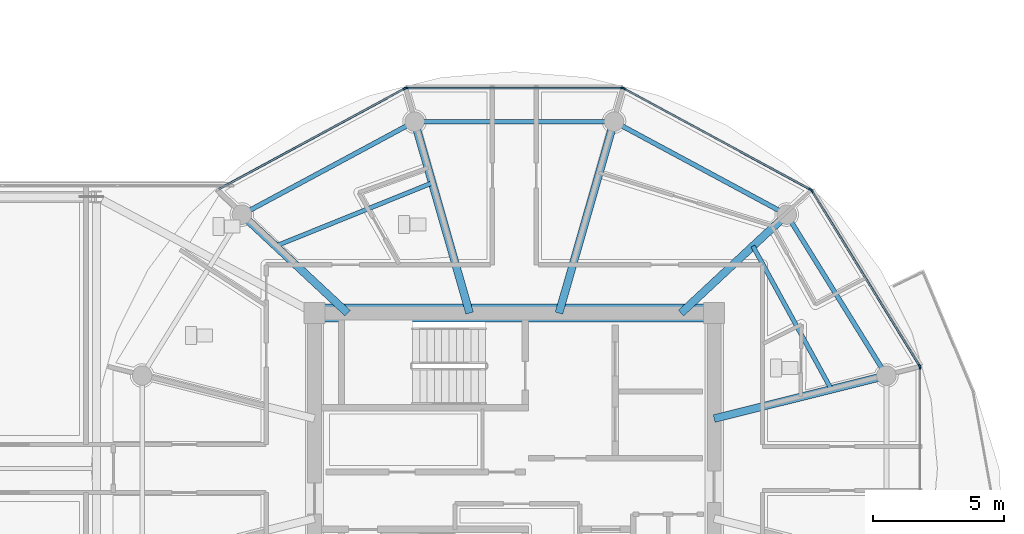
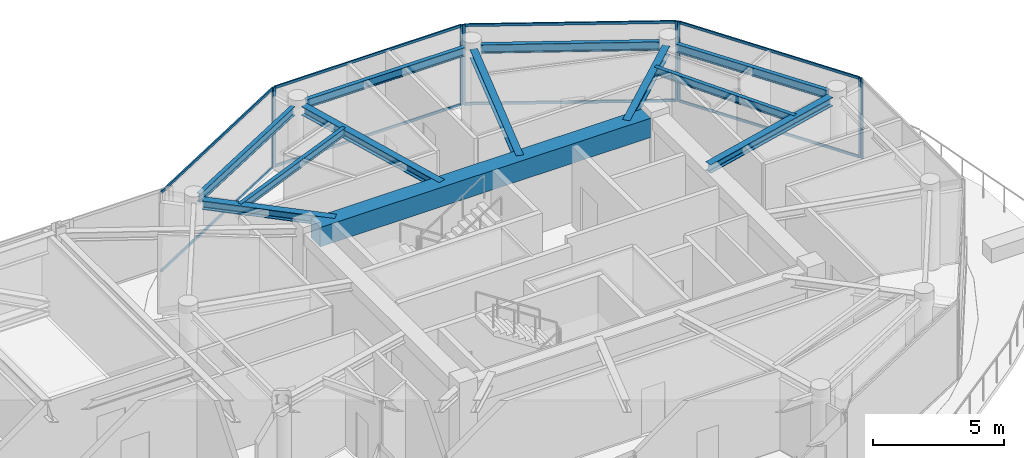
# One storey, part 10 of 31: 16 members, 12 beams, 5 elements without a shape of their own.
"""IFC4 building model written with IfcOpenShell, lengths in metres."""

from ifc_helpers import new_model, si_unit, direction, frame, origin, origin_2d, place, context, subcontext, project, spatial, rectangle, i_section, extrude, source, transform, mapped, material, layer, layer_set, material_profile, profile_set, type_object, type_shapes, element, aggregate, save


model = new_model("IFC4")

# Units and contexts
model_context = context("Model", 3, precision=1e-05, world=origin(), true_north=direction((0.0, 1.0)))
body_context = subcontext(model_context, "Body", "Model", "MODEL_VIEW")
ifc_project = project(units=[si_unit("LENGTHUNIT", "METRE"), si_unit("AREAUNIT", "SQUARE_METRE"), si_unit("VOLUMEUNIT", "CUBIC_METRE"), si_unit("PLANEANGLEUNIT", "RADIAN"), si_unit("MASSUNIT", "GRAM", prefix="KILO")], contexts=[model_context])

# Site, building, storey
site_placement = place(None, origin())
site = spatial("IfcSite", under=ifc_project, at=site_placement, CompositionType="ELEMENT")
building_placement = place(site_placement, origin())
building = spatial("IfcBuilding", under=site, at=building_placement, Name="Norrkilde Senior Care Towers", CompositionType="ELEMENT")
storey_placement = place(building_placement, frame((0.0, 0.0, 199.800048828125)))
storey = spatial("IfcBuildingStorey", under=building, at=storey_placement, Name="L62", CompositionType="ELEMENT", Elevation=199.800048828125)

# Beams
ifc_material_1 = material(Name="Concrete C60/75", Category="concrete")
ifc_material_profile_1 = material_profile(ifc_material_1, rectangle(XDim=0.699951171875, YDim=0.89990234375, at=origin_2d()), Name="RC BM 700x900")
ifc_profile_set_1 = profile_set([ifc_material_profile_1], Name="Concrete C60/75")
beam_type_1 = type_object("IfcBeamType", Name="Core Coupling Girder 700x900", PredefinedType="USERDEFINED", material=ifc_profile_set_1)
shared_shape_1 = source(origin(), body_context, "Body", "SweptSolid", [
    extrude(rectangle(XDim=0.699951171875, YDim=0.89990234375, at=origin_2d()), origin(), (0.0, 0.0, 1.0), 14.5400390625),
])
type_shapes(beam_type_1, [shared_shape_1])
beam_1_placement = place(storey_placement, frame((20.72998046875, 5.949951171875, 3.260009765625), z_axis=(1.0, 0.0, 0.0), x_axis=(0.0, 1.0, 0.0)))
element("IfcBeam", 1, at=beam_1_placement, inside=storey, type_object=beam_type_1, Name="L62 Core E N Coupling Girder", ObjectType="GIRDER", PredefinedType="USERDEFINED", context=body_context, shape_type="MappedRepresentation", body=[
    mapped(shared_shape_1, transform((0.0, 0.0, 0.0), x_axis=(1.0, 0.0, 0.0), y_axis=(0.0, 1.0, 0.0), z_axis=(0.0, 0.0, 1.0), scale=1.0)),
])
ifc_material_2 = material(Name="Steel S355", Category="steel")
ifc_material_profile_2 = material_profile(ifc_material_2, i_section(OverallWidth=0.179931640625, OverallDepth=0.39990234375, WebThickness=0.008544921875, FlangeThickness=0.013427734375, FilletRadius=0.02099609375, at=origin_2d()), Name="IPE 400")
ifc_profile_set_2 = profile_set([ifc_material_profile_2], Name="Steel S355")
beam_type_2 = type_object("IfcBeamType", Name="Perimeter Ring Spandrel Z4 IPE400", PredefinedType="SPANDREL", material=ifc_profile_set_2)
shared_shape_2 = source(origin(), body_context, "Body", "SweptSolid", [
    extrude(i_section(OverallWidth=0.179931640625, OverallDepth=0.39990234375, WebThickness=0.008544921875, FlangeThickness=0.013427734375, FilletRadius=0.02099609375, at=origin_2d()), origin(), (0.0, 0.0, 1.0), 6.58056640625),
])
beam_2_placement = place(storey_placement, frame((42.071044921875, 3.843505859375, 3.510009765625), z_axis=(-0.526529583789, 0.850156807533, 0.0), x_axis=(-0.850156807533, -0.526529583789, 0.0)))
element("IfcBeam", 2, at=beam_2_placement, inside=storey, type_object=beam_type_2, Name="L62 Drum E Perimeter Spandrel 01", PredefinedType="SPANDREL", context=body_context, shape_type="MappedRepresentation", body=[
    mapped(shared_shape_2, transform((0.0, 0.0, 0.0), x_axis=(1.0, 0.0, 0.0), y_axis=(0.0, 1.0, 0.0), z_axis=(0.0, 0.0, 1.0), scale=1.0)),
])
ifc_material_profile_3 = material_profile(ifc_material_2, i_section(OverallWidth=0.300048828125, OverallDepth=0.39990234375, WebThickness=0.013427734375, FlangeThickness=0.02392578125, FilletRadius=0.027099609375, at=origin_2d()), Name="HEB 400")
ifc_profile_set_3 = profile_set([ifc_material_profile_3], Name="Steel S355")
beam_type_3 = type_object("IfcBeamType", Name="Radial Floor Beam Z4 HEB400", PredefinedType="BEAM", material=ifc_profile_set_3)
shared_shape_3 = source(origin(), body_context, "Body", "SweptSolid", [
    extrude(i_section(OverallWidth=0.300048828125, OverallDepth=0.39990234375, WebThickness=0.013427734375, FlangeThickness=0.02392578125, FilletRadius=0.027099609375, at=origin_2d()), origin(), (0.0, 0.0, 1.0), 6.465087890625),
])
beam_3_placement = place(storey_placement, frame((35.64990234375, 1.910888671875, 3.510009765625), z_axis=(0.970195788563, 0.242322371758, 0.0), x_axis=(-0.242322371758, 0.970195788563, 0.0)))
element("IfcBeam", 3, at=beam_3_placement, inside=storey, type_object=beam_type_3, Name="L62 Drum E Radial Floor Beam 01", PredefinedType="BEAM", context=body_context, shape_type="MappedRepresentation", body=[
    mapped(shared_shape_3, transform((0.0, 0.0, 0.0), x_axis=(1.0, 0.0, 0.0), y_axis=(0.0, 1.0, 0.0), z_axis=(0.0, 0.0, 1.0), scale=1.0)),
])
shared_shape_4 = source(origin(), body_context, "Body", "SweptSolid", [
    extrude(i_section(OverallWidth=0.179931640625, OverallDepth=0.39990234375, WebThickness=0.008544921875, FlangeThickness=0.013427734375, FilletRadius=0.02099609375, at=origin_2d()), origin(), (0.0, 0.0, 1.0), 6.839111328125),
])
for number, where, z_axis, x_axis, name in (
    (4, (38.134765625, 9.881591796875, 3.510009765625), (-0.880563930732, 0.473927382511, 0.0), (-0.473927382511, -0.880563930732, 0.0), "L62 Drum E Perimeter Spandrel 02"),
    (5, (23.887451171875, 13.122802734375, 3.510009765625), (-0.880563930732, -0.473927382511, 0.0), (0.473927382511, -0.880563930732, 0.0), "L62 Drum E Perimeter Spandrel 04"),
):
    element("IfcBeam", number, at=place(storey_placement, frame(where, z_axis=z_axis, x_axis=x_axis)), inside=storey, type_object=beam_type_2, Name=name, PredefinedType="SPANDREL", context=body_context, shape_type="MappedRepresentation", body=[
        mapped(shared_shape_4, transform((0.0, 0.0, 0.0), x_axis=(1.0, 0.0, 0.0), y_axis=(0.0, 1.0, 0.0), z_axis=(0.0, 0.0, 1.0), scale=1.0)),
    ])
shared_shape_5 = source(origin(), body_context, "Body", "SweptSolid", [
    extrude(i_section(OverallWidth=0.300048828125, OverallDepth=0.39990234375, WebThickness=0.013427734375, FlangeThickness=0.02392578125, FilletRadius=0.027099609375, at=origin_2d()), origin(), (0.0, 0.0, 1.0), 5.197998046875),
])
for number, where, z_axis, x_axis, name in (
    (6, (34.3828125, 5.949951171875, 3.510009765625), (0.731448749334, 0.681896419625, 0.0), (-0.681896419625, 0.731448749334, 0.0), "L62 Drum E Radial Floor Beam 02"),
    (7, (21.6171875, 5.949951171875, 3.510009765625), (-0.731448749334, 0.681896419625, 0.0), (-0.681896419625, -0.731448749334, 0.0), "L62 Drum E Radial Floor Beam 05"),
):
    element("IfcBeam", number, at=place(storey_placement, frame(where, z_axis=z_axis, x_axis=x_axis)), inside=storey, type_object=beam_type_3, Name=name, PredefinedType="BEAM", context=body_context, shape_type="MappedRepresentation", body=[
        mapped(shared_shape_5, transform((0.0, 0.0, 0.0), x_axis=(1.0, 0.0, 0.0), y_axis=(0.0, 1.0, 0.0), z_axis=(0.0, 0.0, 1.0), scale=1.0)),
    ])
shared_shape_6 = source(origin(), body_context, "Body", "SweptSolid", [
    extrude(i_section(OverallWidth=0.179931640625, OverallDepth=0.39990234375, WebThickness=0.008544921875, FlangeThickness=0.013427734375, FilletRadius=0.02099609375, at=origin_2d()), origin(), (0.0, 0.0, 1.0), 6.96533203125),
])
type_shapes(beam_type_2, [shared_shape_2, shared_shape_4, shared_shape_6])
beam_4_placement = place(storey_placement, frame((31.482666015625, 13.281494140625, 3.510009765625), z_axis=(-1.0, 0.0, 0.0), x_axis=(0.0, -1.0, 0.0)))
element("IfcBeam", 8, at=beam_4_placement, inside=storey, type_object=beam_type_2, Name="L62 Drum E Perimeter Spandrel 03", PredefinedType="SPANDREL", context=body_context, shape_type="MappedRepresentation", body=[
    mapped(shared_shape_6, transform((0.0, 0.0, 0.0), x_axis=(1.0, 0.0, 0.0), y_axis=(0.0, 1.0, 0.0), z_axis=(0.0, 0.0, 1.0), scale=1.0)),
])
shared_shape_7 = source(origin(), body_context, "Body", "SweptSolid", [
    extrude(i_section(OverallWidth=0.300048828125, OverallDepth=0.39990234375, WebThickness=0.013427734375, FlangeThickness=0.02392578125, FilletRadius=0.027099609375, at=origin_2d()), origin(), (0.0, 0.0, 1.0), 7.29345703125),
])
type_shapes(beam_type_3, [shared_shape_3, shared_shape_5, shared_shape_7])
for number, where, z_axis, x_axis, name in (
    (9, (29.710205078125, 5.949951171875, 3.510009765625), (0.276263751906, 0.961081858836, 0.0), (-0.961081858836, 0.276263751906, 0.0), "L62 Drum E Radial Floor Beam 03"),
    (10, (26.289794921875, 5.949951171875, 3.510009765625), (-0.276263751906, 0.961081858836, 0.0), (-0.961081858836, -0.276263751906, 0.0), "L62 Drum E Radial Floor Beam 04"),
):
    element("IfcBeam", number, at=place(storey_placement, frame(where, z_axis=z_axis, x_axis=x_axis)), inside=storey, type_object=beam_type_3, Name=name, PredefinedType="BEAM", context=body_context, shape_type="MappedRepresentation", body=[
        mapped(shared_shape_7, transform((0.0, 0.0, 0.0), x_axis=(1.0, 0.0, 0.0), y_axis=(0.0, 1.0, 0.0), z_axis=(0.0, 0.0, 1.0), scale=1.0)),
    ])
ifc_material_profile_4 = material_profile(ifc_material_2, i_section(OverallWidth=0.169921875, OverallDepth=0.360107421875, WebThickness=0.008056640625, FlangeThickness=0.0126953125, FilletRadius=0.01806640625, at=origin_2d()), Name="IPE 360")
ifc_profile_set_4 = profile_set([ifc_material_profile_4], Name="Steel S355")
beam_type_4 = type_object("IfcBeamType", Name="Secondary Floor Joist IPE360", PredefinedType="JOIST", material=ifc_profile_set_4)
shared_shape_8 = source(origin(), body_context, "Body", "SweptSolid", [
    extrude(i_section(OverallWidth=0.169921875, OverallDepth=0.360107421875, WebThickness=0.008056640625, FlangeThickness=0.0126953125, FilletRadius=0.01806640625, at=origin_2d()), origin(), (0.0, 0.0, 1.0), 6.461669921875),
])
beam_5_placement = place(storey_placement, frame((24.856689453125, 10.935302734375, 3.530029296875), z_axis=(-0.927225942298, -0.374502405772, 0.0), x_axis=(0.374502405772, -0.927225942298, 0.0)))
element("IfcBeam", 11, at=beam_5_placement, inside=storey, type_object=beam_type_4, Name="L62 Drum E Secondary Floor Joist 2", PredefinedType="JOIST", context=body_context, shape_type="MappedRepresentation", body=[
    mapped(shared_shape_8, transform((0.0, 0.0, 0.0), x_axis=(1.0, 0.0, 0.0), y_axis=(0.0, 1.0, 0.0), z_axis=(0.0, 0.0, 1.0), scale=1.0)),
])
shared_shape_9 = source(origin(), body_context, "Body", "SweptSolid", [
    extrude(i_section(OverallWidth=0.169921875, OverallDepth=0.360107421875, WebThickness=0.008056640625, FlangeThickness=0.0126953125, FilletRadius=0.01806640625, at=origin_2d()), origin(), (0.0, 0.0, 1.0), 6.25146484375),
])
type_shapes(beam_type_4, [shared_shape_8, shared_shape_9])
beam_6_placement = place(storey_placement, frame((40.13623046875, 3.031494140625, 3.530029296875), z_axis=(-0.480115752653, 0.877205143655, 0.0), x_axis=(-0.877205143655, -0.480115752653, 0.0)))
element("IfcBeam", 12, at=beam_6_placement, inside=storey, type_object=beam_type_4, Name="L62 Drum E Secondary Floor Joist 1", PredefinedType="JOIST", context=body_context, shape_type="MappedRepresentation", body=[
    mapped(shared_shape_9, transform((0.0, 0.0, 0.0), x_axis=(1.0, 0.0, 0.0), y_axis=(0.0, 1.0, 0.0), z_axis=(0.0, 0.0, 1.0), scale=1.0)),
])

# Curtain wall, members
ifc_material_3 = material(Name="Triple Low-E Insulated Glazing", Category="glass")
ifc_layer = layer(ifc_material_3, 0.18505859375)
ifc_layer_set = layer_set([ifc_layer], Name="Triple Low-E Insulated Glazing")
curtain_wall_type = type_object("IfcCurtainWallType", Name="CW6 Zone 4 Crown Pavilion Curtain Wall", PredefinedType="NOTDEFINED", material=ifc_layer_set)
curtain_wall_1_placement = place(storey_placement, origin())
curtain_wall_1 = element("IfcCurtainWall", 13, at=curtain_wall_1_placement, inside=storey, type_object=curtain_wall_type, Name="L62 Drum E Curtain Wall 00", PredefinedType="NOTDEFINED")
ifc_material_4 = material(Name="Anodised Aluminium", Category="aluminium")
ifc_material_profile_5 = material_profile(ifc_material_4, rectangle(XDim=0.06005859375, YDim=0.1201171875, at=origin_2d()), Name="ALU TRAN 60x120")
ifc_profile_set_5 = profile_set([ifc_material_profile_5], Name="Anodised Aluminium")
member_type_1 = type_object("IfcMemberType", Name="Curtain Wall Transom Typical 60x120", PredefinedType="USERDEFINED", material=ifc_profile_set_5)
shared_shape_10 = source(origin(), body_context, "Body", "SweptSolid", [
    extrude(rectangle(XDim=0.06005859375, YDim=0.1201171875, at=origin_2d()), origin(), (0.0, 0.0, 1.0), 7.808837890625),
])
member_1_placement = place(storey_placement, frame((39.404296875, 10.60791015625, 0.030029296875), z_axis=(0.524250924101, -0.851563837055, 0.0), x_axis=(0.851563837055, 0.524250924101, 0.0)))
member_1 = element("IfcMember", 14, at=member_1_placement, type_object=member_type_1, Name="CW-6 transom 1.1", ObjectType="TRANSOM", PredefinedType="USERDEFINED", context=body_context, shape_type="MappedRepresentation", body=[
    mapped(shared_shape_10, transform((0.0, 0.0, 0.0), x_axis=(1.0, 0.0, 0.0), y_axis=(0.0, 1.0, 0.0), z_axis=(0.0, 0.0, 1.0), scale=1.0)),
])
member_2_placement = place(storey_placement, frame((39.404296875, 10.60791015625, 3.679931640625), z_axis=(0.524250924101, -0.851563837055, 0.0), x_axis=(0.851563837055, 0.524250924101, 0.0)))
member_2 = element("IfcMember", 15, at=member_2_placement, type_object=member_type_1, Name="CW-6 transom 1.2", ObjectType="TRANSOM", PredefinedType="USERDEFINED", context=body_context, shape_type="MappedRepresentation", body=[
    mapped(shared_shape_10, transform((0.0, 0.0, 0.0), x_axis=(1.0, 0.0, 0.0), y_axis=(0.0, 1.0, 0.0), z_axis=(0.0, 0.0, 1.0), scale=1.0)),
])

curtain_wall_2_placement = place(storey_placement, origin())
curtain_wall_2 = element("IfcCurtainWall", 16, at=curtain_wall_2_placement, inside=storey, type_object=curtain_wall_type, Name="L62 Drum E Curtain Wall 02", PredefinedType="NOTDEFINED")
shared_shape_11 = source(origin(), body_context, "Body", "SweptSolid", [
    extrude(rectangle(XDim=0.06005859375, YDim=0.1201171875, at=origin_2d()), origin(), (0.0, 0.0, 1.0), 8.19384765625),
])
member_3_placement = place(storey_placement, frame((23.903076171875, 14.566162109375, 0.030029296875), z_axis=(1.0, 0.0, 0.0), x_axis=(0.0, 1.0, 0.0)))
member_3 = element("IfcMember", 17, at=member_3_placement, type_object=member_type_1, Name="CW-6 transom 1.1", ObjectType="TRANSOM", PredefinedType="USERDEFINED", context=body_context, shape_type="MappedRepresentation", body=[
    mapped(shared_shape_11, transform((0.0, 0.0, 0.0), x_axis=(1.0, 0.0, 0.0), y_axis=(0.0, 1.0, 0.0), z_axis=(0.0, 0.0, 1.0), scale=1.0)),
])
member_4_placement = place(storey_placement, frame((23.903076171875, 14.566162109375, 3.679931640625), z_axis=(1.0, 0.0, 0.0), x_axis=(0.0, 1.0, 0.0)))
member_4 = element("IfcMember", 18, at=member_4_placement, type_object=member_type_1, Name="CW-6 transom 1.2", ObjectType="TRANSOM", PredefinedType="USERDEFINED", context=body_context, shape_type="MappedRepresentation", body=[
    mapped(shared_shape_11, transform((0.0, 0.0, 0.0), x_axis=(1.0, 0.0, 0.0), y_axis=(0.0, 1.0, 0.0), z_axis=(0.0, 0.0, 1.0), scale=1.0)),
])

curtain_wall_3_placement = place(storey_placement, origin())
curtain_wall_3 = element("IfcCurtainWall", 19, at=curtain_wall_3_placement, inside=storey, type_object=curtain_wall_type, Name="L62 Drum E Curtain Wall 01", PredefinedType="NOTDEFINED")
shared_shape_12 = source(origin(), body_context, "Body", "SweptSolid", [
    extrude(rectangle(XDim=0.06005859375, YDim=0.1201171875, at=origin_2d()), origin(), (0.0, 0.0, 1.0), 8.0673828125),
])
type_shapes(member_type_1, [shared_shape_10, shared_shape_11, shared_shape_12])
member_5_placement = place(storey_placement, frame((32.218994140625, 14.53515625, 0.030029296875), z_axis=(0.87937750072, -0.476125205411, 0.0), x_axis=(0.476125205411, 0.87937750072, 0.0)))
member_5 = element("IfcMember", 20, at=member_5_placement, type_object=member_type_1, Name="CW-6 transom 1.1", ObjectType="TRANSOM", PredefinedType="USERDEFINED", context=body_context, shape_type="MappedRepresentation", body=[
    mapped(shared_shape_12, transform((0.0, 0.0, 0.0), x_axis=(1.0, 0.0, 0.0), y_axis=(0.0, 1.0, 0.0), z_axis=(0.0, 0.0, 1.0), scale=1.0)),
])
member_6_placement = place(storey_placement, frame((32.218994140625, 14.53515625, 3.679931640625), z_axis=(0.87937750072, -0.476125205411, 0.0), x_axis=(0.476125205411, 0.87937750072, 0.0)))
member_6 = element("IfcMember", 21, at=member_6_placement, type_object=member_type_1, Name="CW-6 transom 1.2", ObjectType="TRANSOM", PredefinedType="USERDEFINED", context=body_context, shape_type="MappedRepresentation", body=[
    mapped(shared_shape_12, transform((0.0, 0.0, 0.0), x_axis=(1.0, 0.0, 0.0), y_axis=(0.0, 1.0, 0.0), z_axis=(0.0, 0.0, 1.0), scale=1.0)),
])

curtain_wall_4_placement = place(storey_placement, origin())
curtain_wall_4 = element("IfcCurtainWall", 22, at=curtain_wall_4_placement, inside=storey, type_object=curtain_wall_type, Name="L62 Drum E Curtain Wall 03", PredefinedType="NOTDEFINED")
member_7_placement = place(storey_placement, frame((16.686767578125, 10.694091796875, 0.030029296875), z_axis=(0.87937750072, 0.476125205411, 0.0), x_axis=(-0.476125205411, 0.87937750072, 0.0)))
member_7 = element("IfcMember", 23, at=member_7_placement, type_object=member_type_1, Name="CW-6 transom 1.1", ObjectType="TRANSOM", PredefinedType="USERDEFINED", context=body_context, shape_type="MappedRepresentation", body=[
    mapped(shared_shape_12, transform((0.0, 0.0, 0.0), x_axis=(1.0, 0.0, 0.0), y_axis=(0.0, 1.0, 0.0), z_axis=(0.0, 0.0, 1.0), scale=1.0)),
])
member_8_placement = place(storey_placement, frame((16.686767578125, 10.694091796875, 3.679931640625), z_axis=(0.87937750072, 0.476125205411, 0.0), x_axis=(-0.476125205411, 0.87937750072, 0.0)))
member_8 = element("IfcMember", 24, at=member_8_placement, type_object=member_type_1, Name="CW-6 transom 1.2", ObjectType="TRANSOM", PredefinedType="USERDEFINED", context=body_context, shape_type="MappedRepresentation", body=[
    mapped(shared_shape_12, transform((0.0, 0.0, 0.0), x_axis=(1.0, 0.0, 0.0), y_axis=(0.0, 1.0, 0.0), z_axis=(0.0, 0.0, 1.0), scale=1.0)),
])

# Member
ifc_material_profile_6 = material_profile(ifc_material_4, rectangle(XDim=0.06494140625, YDim=0.14990234375, at=origin_2d()), Name="ALU MULL 65x150")
ifc_profile_set_6 = profile_set([ifc_material_profile_6], Name="Anodised Aluminium")
member_type_2 = type_object("IfcMemberType", Name="Curtain Wall Mullion Z3-Z4 65x150", PredefinedType="MULLION", material=ifc_profile_set_6)
shared_shape_13 = source(origin(), body_context, "Body", "SweptSolid", [
    extrude(rectangle(XDim=0.06494140625, YDim=0.14990234375, at=origin_2d()), origin(), (0.0, 0.0, 1.0), 3.7099609375),
])
type_shapes(member_type_2, [shared_shape_13])
member_9_placement = place(storey_placement, frame((39.38720703125, 10.635498046875, 0.0), z_axis=(0.0, 0.0, 1.0), x_axis=(0.851562727283, 0.524252726748, 0.0)))
member_9 = element("IfcMember", 25, at=member_9_placement, type_object=member_type_2, Name="CW-6 mullion 1", PredefinedType="MULLION", context=body_context, shape_type="MappedRepresentation", body=[
    mapped(shared_shape_13, transform((0.0, 0.0, 0.0), x_axis=(1.0, 0.0, 0.0), y_axis=(0.0, 1.0, 0.0), z_axis=(0.0, 0.0, 1.0), scale=1.0)),
])

member_10_placement = place(storey_placement, frame((43.51513671875, 3.9306640625, 0.0), z_axis=(0.0, 0.0, 1.0), x_axis=(0.851562727283, 0.524252726748, 0.0)))
member_10 = element("IfcMember", 26, at=member_10_placement, type_object=member_type_2, Name="CW-6 mullion 2", PredefinedType="MULLION", context=body_context, shape_type="MappedRepresentation", body=[
    mapped(shared_shape_13, transform((0.0, 0.0, 0.0), x_axis=(1.0, 0.0, 0.0), y_axis=(0.0, 1.0, 0.0), z_axis=(0.0, 0.0, 1.0), scale=1.0)),
])

aggregate(curtain_wall_1, [member_9, member_10, member_1, member_2])

member_11_placement = place(storey_placement, frame((32.1904296875, 14.55078125, 0.0), z_axis=(0.0, 0.0, 1.0), x_axis=(0.476132676136, 0.879373455772, 0.0)))
member_11 = element("IfcMember", 27, at=member_11_placement, type_object=member_type_2, Name="CW-6 mullion 1", PredefinedType="MULLION", context=body_context, shape_type="MappedRepresentation", body=[
    mapped(shared_shape_13, transform((0.0, 0.0, 0.0), x_axis=(1.0, 0.0, 0.0), y_axis=(0.0, 1.0, 0.0), z_axis=(0.0, 0.0, 1.0), scale=1.0)),
])

member_12_placement = place(storey_placement, frame((39.341796875, 10.6787109375, 0.0), z_axis=(0.0, 0.0, 1.0), x_axis=(0.476132676136, 0.879373455772, 0.0)))
member_12 = element("IfcMember", 28, at=member_12_placement, type_object=member_type_2, Name="CW-6 mullion 2", PredefinedType="MULLION", context=body_context, shape_type="MappedRepresentation", body=[
    mapped(shared_shape_13, transform((0.0, 0.0, 0.0), x_axis=(1.0, 0.0, 0.0), y_axis=(0.0, 1.0, 0.0), z_axis=(0.0, 0.0, 1.0), scale=1.0)),
])

aggregate(curtain_wall_3, [member_11, member_12, member_5, member_6])

member_13_placement = place(storey_placement, frame((23.87060546875, 14.566162109375, 0.0), z_axis=(0.0, 0.0, 1.0), x_axis=(0.0, 1.0, 0.0)))
member_13 = element("IfcMember", 29, at=member_13_placement, type_object=member_type_2, Name="CW-6 mullion 1", PredefinedType="MULLION", context=body_context, shape_type="MappedRepresentation", body=[
    mapped(shared_shape_13, transform((0.0, 0.0, 0.0), x_axis=(1.0, 0.0, 0.0), y_axis=(0.0, 1.0, 0.0), z_axis=(0.0, 0.0, 1.0), scale=1.0)),
])

member_14_placement = place(storey_placement, frame((32.12939453125, 14.566162109375, 0.0), z_axis=(0.0, 0.0, 1.0), x_axis=(0.0, 1.0, 0.0)))
member_14 = element("IfcMember", 30, at=member_14_placement, type_object=member_type_2, Name="CW-6 mullion 2", PredefinedType="MULLION", context=body_context, shape_type="MappedRepresentation", body=[
    mapped(shared_shape_13, transform((0.0, 0.0, 0.0), x_axis=(1.0, 0.0, 0.0), y_axis=(0.0, 1.0, 0.0), z_axis=(0.0, 0.0, 1.0), scale=1.0)),
])

aggregate(curtain_wall_2, [member_13, member_14, member_3, member_4])

member_15_placement = place(storey_placement, frame((23.8095703125, 14.55078125, 0.0), z_axis=(0.0, 0.0, 1.0), x_axis=(-0.476132676136, 0.879373455772, 0.0)))
member_15 = element("IfcMember", 31, at=member_15_placement, type_object=member_type_2, Name="CW-6 mullion 2", PredefinedType="MULLION", context=body_context, shape_type="MappedRepresentation", body=[
    mapped(shared_shape_13, transform((0.0, 0.0, 0.0), x_axis=(1.0, 0.0, 0.0), y_axis=(0.0, 1.0, 0.0), z_axis=(0.0, 0.0, 1.0), scale=1.0)),
])

aggregate(curtain_wall_4, [member_15, member_7, member_8])

# Curtain wall, member
curtain_wall_5_placement = place(storey_placement, origin())
curtain_wall_5 = element("IfcCurtainWall", 32, at=curtain_wall_5_placement, inside=storey, type_object=curtain_wall_type, Name="L62 Drum E Curtain Wall 11", PredefinedType="NOTDEFINED")
member_16_placement = place(storey_placement, frame((43.531982421875, 3.87060546875, 0.0), z_axis=(0.0, 0.0, 1.0), x_axis=(1.0, 0.0, 0.0)))
member_16 = element("IfcMember", 33, at=member_16_placement, type_object=member_type_2, Name="CW-6 mullion 1", PredefinedType="MULLION", context=body_context, shape_type="MappedRepresentation", body=[
    mapped(shared_shape_13, transform((0.0, 0.0, 0.0), x_axis=(1.0, 0.0, 0.0), y_axis=(0.0, 1.0, 0.0), z_axis=(0.0, 0.0, 1.0), scale=1.0)),
])
aggregate(curtain_wall_5, [member_16])

save(model, "model.ifc")
